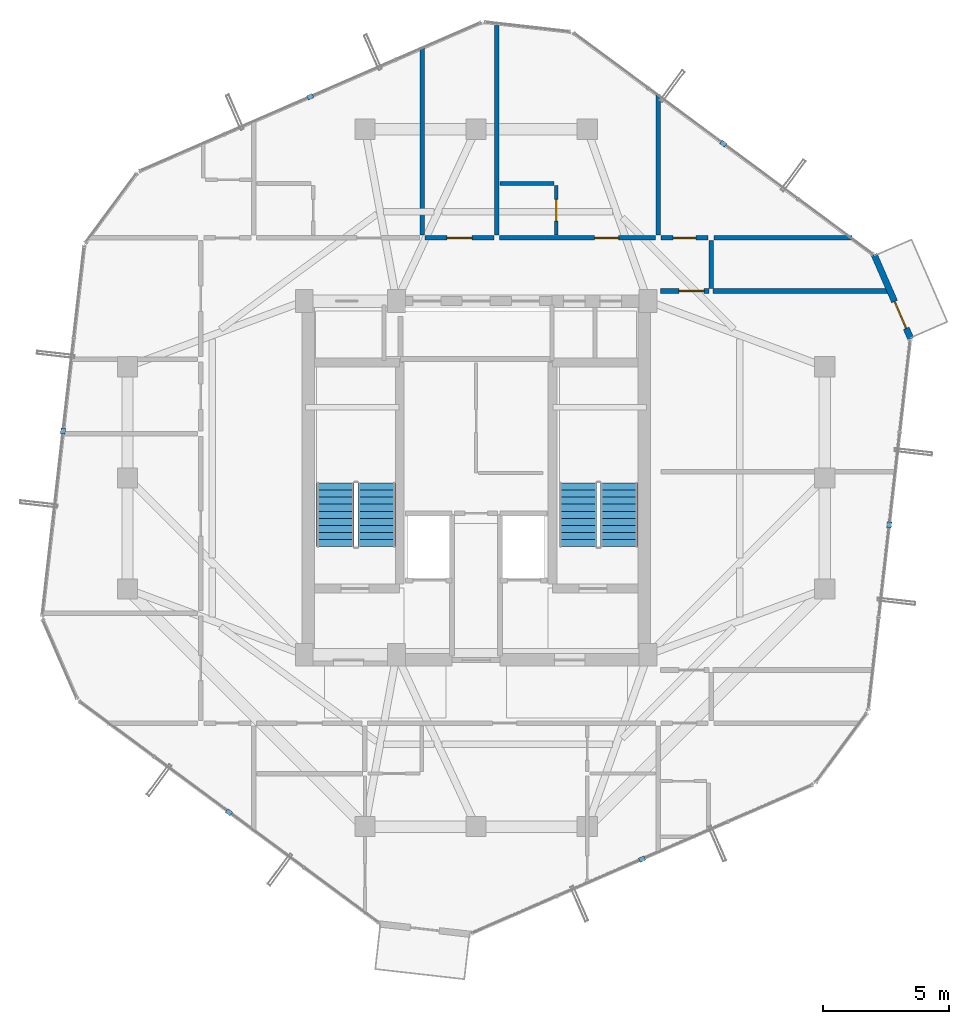
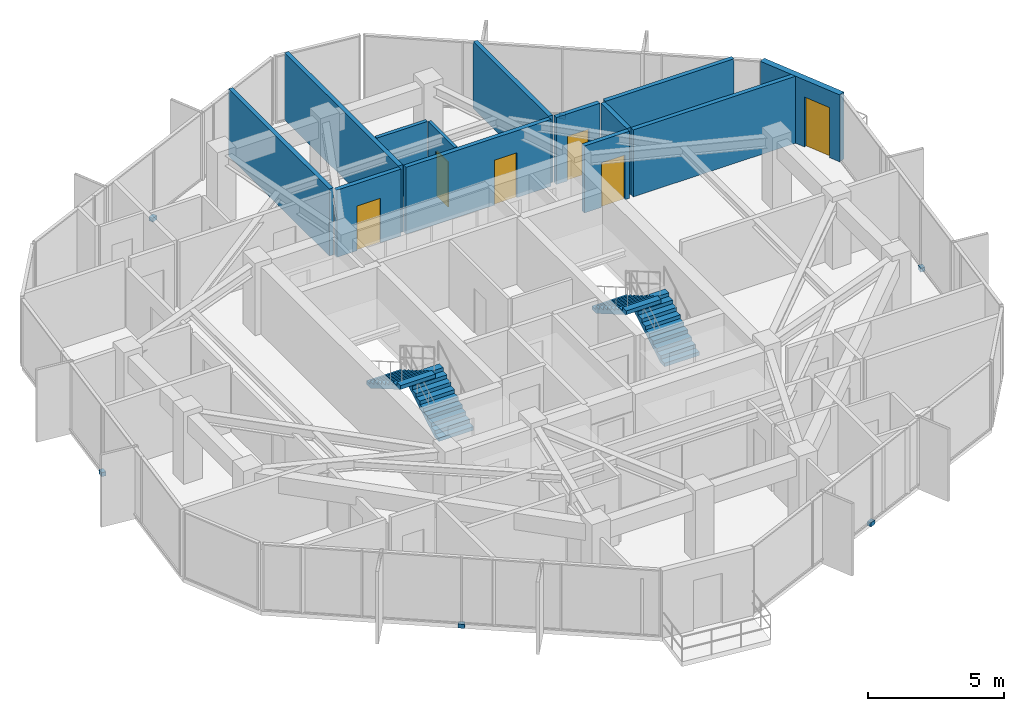
# One storey, part 28 of 30: 13 walls, 6 discrete accessories, 6 doors, 4 stair flights, 6 openings, 2 elements without a shape of their own.
"""IFC4 building model written with IfcOpenShell, lengths in metres."""

from ifc_helpers import new_model, si_unit, direction, frame, frame_2d, origin, origin_2d, place, context, subcontext, project, spatial, polyline, rectangle, outline, extrude, source, transform, mapped, material, layer, layer_set, type_object, element, fill, aggregate, save


model = new_model("IFC4")

# Units and contexts
model_context = context("Model", 3, precision=1e-05, world=origin(), true_north=direction((0.0, 1.0)))
body_context = subcontext(model_context, "Body", "Model", "MODEL_VIEW")
ifc_project = project(units=[si_unit("LENGTHUNIT", "METRE"), si_unit("AREAUNIT", "SQUARE_METRE"), si_unit("VOLUMEUNIT", "CUBIC_METRE"), si_unit("PLANEANGLEUNIT", "RADIAN"), si_unit("MASSUNIT", "GRAM", prefix="KILO")], contexts=[model_context])

# Site, building, storey
site_placement = place(None, origin())
site = spatial("IfcSite", under=ifc_project, at=site_placement, CompositionType="ELEMENT")
building_placement = place(site_placement, origin())
building = spatial("IfcBuilding", under=site, at=building_placement, Name="Veraguas Prism Commons", CompositionType="ELEMENT")
storey_placement = place(building_placement, frame((0.0, 0.0, 230.050048828125)))
storey = spatial("IfcBuildingStorey", under=building, at=storey_placement, Name="L65", CompositionType="ELEMENT", Elevation=230.050048828125)

# Wall
ifc_material_1 = material(Name="Autoclaved aerated masonry block 10 MPa", Category="masonry")
ifc_layer_1 = layer(ifc_material_1, 0.179931640625, Name="Corridor and Inter-Tenancy Partition 180", Category="masonry")
ifc_layer_set_1 = layer_set([ifc_layer_1], Name="Autoclaved aerated masonry block 10 MPa")
wall_type_1 = type_object("IfcWallType", Name="Corridor and Inter-Tenancy Partition 180", PredefinedType="PARTITIONING", material=ifc_layer_set_1)
wall_1_placement = place(storey_placement, frame((31.199951171875, 33.6201171875, 0.0), z_axis=(0.0, 0.0, 1.0), x_axis=(0.0, 1.0, 0.0)))
element("IfcWall", 1, at=wall_1_placement, inside=storey, type_object=wall_type_1, Name="WL-L65-PT014", PredefinedType="PARTITIONING", context=body_context, shape_type="SweptSolid", body=[
    extrude(rectangle(XDim=5.5576171875, YDim=0.179931640625, at=frame_2d((2.77880859375, 0.0))), origin(), (0.0, 0.0, 1.0), 3.014892578125),
])

# Wall, opening, door
wall_2_placement = place(storey_placement, frame((21.97998046875, 33.5, 0.0), z_axis=(0.0, 0.0, 1.0), x_axis=(1.0, 0.0, 0.0)))
wall_2 = element("IfcWall", 2, at=wall_2_placement, inside=storey, type_object=wall_type_1, Name="WL-L65-PT015", PredefinedType="PARTITIONING", context=body_context, shape_type="SweptSolid", body=[
    extrude(rectangle(XDim=2.72998046875, YDim=0.179931640625, at=frame_2d((1.364990234375, 0.0))), origin(), (0.0, 0.0, 1.0), 3.014892578125),
])
opening_1_placement = place(wall_2_placement, frame((0.864990234375, 0.0, 0.0)))
opening_1 = element("IfcOpeningElement", 3, at=opening_1_placement, cuts=wall_2, Name="Opening DR-13", PredefinedType="OPENING", context=body_context, shape_type="SweptSolid", body=[
    extrude(rectangle(XDim=1.0, YDim=2.010009765625, at=frame_2d((0.5, 1.0048828125))), frame((0.0, 0.099853515625, 0.0), z_axis=(0.0, -1.0, 0.0), x_axis=(1.0, 0.0, 0.0)), (0.0, 0.0, 1.0), 0.199951171875),
])
ifc_material_2 = material(Name="Steel fire-rated door assembly", Category="steel")
door_type_1 = type_object("IfcDoorType", Name="Core Accessible WC and Clinic Fire Door 1000x2010", OperationType="NOTDEFINED", PredefinedType="DOOR", material=ifc_material_2)
shared_shape_1 = source(origin(), body_context, "Body", "SweptSolid", [
    extrude(rectangle(XDim=1.0, YDim=2.010009765625, at=frame_2d((0.5, 1.0048828125))), frame((0.0, 0.02490234375, 0.0), z_axis=(0.0, -1.0, 0.0), x_axis=(1.0, 0.0, 0.0)), (0.0, 0.0, 1.0), 0.050048828125),
])
door_1_placement = place(opening_1_placement, origin())
door_1 = element("IfcDoor", 4, at=door_1_placement, inside=storey, type_object=door_type_1, Name="Quiet Study N Door", OperationType="SINGLE_SWING_LEFT", OverallHeight=2.010009765625, OverallWidth=1.0, PredefinedType="DOOR", context=body_context, shape_type="MappedRepresentation", body=[
    mapped(shared_shape_1, transform((0.0, 0.0, 0.0), scale=1.0)),
])
fill(opening_1, door_1)

# Walls
wall_3_placement = place(storey_placement, frame((21.8701171875, 33.6201171875, 0.0), z_axis=(0.0, 0.0, 1.0), x_axis=(0.0, 1.0, 0.0)))
element("IfcWall", 5, at=wall_3_placement, inside=storey, type_object=wall_type_1, Name="WL-L65-PT016", PredefinedType="PARTITIONING", context=body_context, shape_type="SweptSolid", body=[
    extrude(rectangle(XDim=7.430908203125, YDim=0.179931640625, at=frame_2d((3.71533203125, 0.0))), origin(), (0.0, 0.0, 1.0), 3.014892578125),
])
wall_4_placement = place(storey_placement, frame((24.820068359375, 33.6201171875, 0.0), z_axis=(0.0, 0.0, 1.0), x_axis=(0.0, 1.0, 0.0)))
element("IfcWall", 6, at=wall_4_placement, inside=storey, type_object=wall_type_1, Name="WL-L65-PT020", PredefinedType="PARTITIONING", context=body_context, shape_type="SweptSolid", body=[
    extrude(rectangle(XDim=8.404052734375, YDim=0.179931640625, at=frame_2d((4.2021484375, 0.0))), origin(), (0.0, 0.0, 1.0), 3.014892578125),
])

# Wall, opening, door
wall_5_placement = place(storey_placement, frame((24.929931640625, 33.5, 0.0), z_axis=(0.0, 0.0, 1.0), x_axis=(1.0, 0.0, 0.0)))
wall_5 = element("IfcWall", 7, at=wall_5_placement, inside=storey, type_object=wall_type_1, Name="WL-L65-PT021", PredefinedType="PARTITIONING", context=body_context, shape_type="SweptSolid", body=[
    extrude(rectangle(XDim=6.16015625, YDim=0.179931640625, at=frame_2d((3.080078125, 0.0))), origin(), (0.0, 0.0, 1.0), 3.014892578125),
])
opening_2_placement = place(wall_5_placement, frame((3.759521484375, 0.0, 0.0)))
opening_2 = element("IfcOpeningElement", 8, at=opening_2_placement, cuts=wall_5, Name="Opening DR-01", PredefinedType="OPENING", context=body_context, shape_type="SweptSolid", body=[
    extrude(rectangle(XDim=0.949951171875, YDim=2.02001953125, at=frame_2d((0.47509765625, 1.010009765625))), frame((0.0, 0.099853515625, 0.0), z_axis=(0.0, -1.0, 0.0), x_axis=(1.0, 0.0, 0.0)), (0.0, 0.0, 1.0), 0.199951171875),
])
ifc_material_3 = material(Name="Anodised aluminium EN AW-6063 T6", Category="aluminium")
door_type_2 = type_object("IfcDoorType", Name="Apartment Entrance Fire Door 950x2020", OperationType="NOTDEFINED", PredefinedType="DOOR", material=ifc_material_3)
shared_shape_2 = source(origin(), body_context, "Body", "SweptSolid", [
    extrude(rectangle(XDim=0.949951171875, YDim=2.02001953125, at=frame_2d((0.47509765625, 1.010009765625))), frame((0.0, 0.02490234375, 0.0), z_axis=(0.0, -1.0, 0.0), x_axis=(1.0, 0.0, 0.0)), (0.0, 0.0, 1.0), 0.050048828125),
])
door_2_placement = place(opening_2_placement, origin())
door_2 = element("IfcDoor", 9, at=door_2_placement, inside=storey, type_object=door_type_2, Name="Studio 65C Entrance Door", OperationType="SINGLE_SWING_RIGHT", OverallHeight=2.02001953125, OverallWidth=0.949951171875, PredefinedType="DOOR", context=body_context, shape_type="MappedRepresentation", body=[
    mapped(shared_shape_2, transform((0.0, 0.0, 0.0), scale=1.0)),
])
fill(opening_2, door_2)

# Wall
wall_6_placement = place(storey_placement, frame((33.300048828125, 31.5, 0.0), z_axis=(0.0, 0.0, 1.0), x_axis=(0.0, 1.0, 0.0)))
element("IfcWall", 10, at=wall_6_placement, inside=storey, type_object=wall_type_1, Name="WL-L65-PT035", PredefinedType="PARTITIONING", context=body_context, shape_type="SweptSolid", body=[
    extrude(rectangle(XDim=1.89990234375, YDim=0.179931640625, at=frame_2d((0.949951171875, 0.0))), origin(), (0.0, 0.0, 1.0), 3.014892578125),
])

# Wall, opening, door
wall_7_placement = place(storey_placement, frame((31.300048828125, 31.39990234375, 0.0), z_axis=(0.0, 0.0, 1.0), x_axis=(1.0, 0.0, 0.0)))
wall_7 = element("IfcWall", 11, at=wall_7_placement, inside=storey, type_object=wall_type_1, Name="WL-L65-PT038", PredefinedType="PARTITIONING", context=body_context, shape_type="SweptSolid", body=[
    extrude(rectangle(XDim=1.919921875, YDim=0.179931640625, at=frame_2d((0.9599609375, 0.0))), origin(), (0.0, 0.0, 1.0), 3.014892578125),
])
opening_3_placement = place(wall_7_placement, frame((0.719970703125, 0.0, 0.0)))
opening_3 = element("IfcOpeningElement", 12, at=opening_3_placement, cuts=wall_7, Name="Opening DR-13", PredefinedType="OPENING", context=body_context, shape_type="SweptSolid", body=[
    extrude(rectangle(XDim=1.0, YDim=2.010009765625, at=frame_2d((0.5, 1.0048828125))), frame((0.0, 0.099853515625, 0.0), z_axis=(0.0, -1.0, 0.0), x_axis=(1.0, 0.0, 0.0)), (0.0, 0.0, 1.0), 0.199951171875),
])
door_3_placement = place(opening_3_placement, origin())
door_3 = element("IfcDoor", 13, at=door_3_placement, inside=storey, type_object=door_type_1, Name="Study Salon Door L65", OperationType="SINGLE_SWING_LEFT", OverallHeight=2.010009765625, OverallWidth=1.0, PredefinedType="DOOR", context=body_context, shape_type="MappedRepresentation", body=[
    mapped(shared_shape_1, transform((0.0, 0.0, 0.0), scale=1.0)),
])
fill(opening_3, door_3)

# Walls
wall_8_placement = place(storey_placement, frame((33.3798828125, 31.39990234375, 0.0), z_axis=(0.0, 0.0, 1.0), x_axis=(1.0, 0.0, 0.0)))
element("IfcWall", 14, at=wall_8_placement, inside=storey, type_object=wall_type_1, Name="WL-L65-PT039", PredefinedType="PARTITIONING", context=body_context, shape_type="SweptSolid", body=[
    extrude(rectangle(XDim=7.0322265625, YDim=0.179931640625, at=frame_2d((3.51611328125, 0.0))), origin(), (0.0, 0.0, 1.0), 3.014892578125),
])
wall_9_placement = place(storey_placement, frame((33.419921875, 33.5, 0.0), z_axis=(0.0, 0.0, 1.0), x_axis=(1.0, 0.0, 0.0)))
element("IfcWall", 15, at=wall_9_placement, inside=storey, type_object=wall_type_1, Name="WL-L65-PT049", PredefinedType="PARTITIONING", context=body_context, shape_type="SweptSolid", body=[
    extrude(rectangle(XDim=5.45849609375, YDim=0.179931640625, at=frame_2d((2.729248046875, 0.0))), origin(), (0.0, 0.0, 1.0), 3.014892578125),
])

# Wall, opening, door
wall_10_placement = place(storey_placement, frame((31.320068359375, 33.5, 0.0), z_axis=(0.0, 0.0, 1.0), x_axis=(1.0, 0.0, 0.0)))
wall_10 = element("IfcWall", 16, at=wall_10_placement, inside=storey, type_object=wall_type_1, Name="WL-L65-PT050", PredefinedType="PARTITIONING", context=body_context, shape_type="SweptSolid", body=[
    extrude(rectangle(XDim=1.85986328125, YDim=0.179931640625, at=frame_2d((0.929931640625, 0.0))), origin(), (0.0, 0.0, 1.0), 3.014892578125),
])
opening_4_placement = place(wall_10_placement, frame((0.47998046875, 0.0, 0.0)))
opening_4 = element("IfcOpeningElement", 17, at=opening_4_placement, cuts=wall_10, Name="Opening DR-14", PredefinedType="OPENING", context=body_context, shape_type="SweptSolid", body=[
    extrude(rectangle(XDim=0.89990234375, YDim=2.010009765625, at=frame_2d((0.449951171875, 1.0048828125))), frame((0.0, 0.099853515625, 0.0), z_axis=(0.0, -1.0, 0.0), x_axis=(1.0, 0.0, 0.0)), (0.0, 0.0, 1.0), 0.199951171875),
])
door_type_3 = type_object("IfcDoorType", Name="Core Service Room Fire Door 900x2010", OperationType="NOTDEFINED", PredefinedType="DOOR", material=ifc_material_2)
shared_shape_3 = source(origin(), body_context, "Body", "SweptSolid", [
    extrude(rectangle(XDim=0.89990234375, YDim=2.010009765625, at=frame_2d((0.449951171875, 1.0048828125))), frame((0.0, 0.02490234375, 0.0), z_axis=(0.0, -1.0, 0.0), x_axis=(1.0, 0.0, 0.0)), (0.0, 0.0, 1.0), 0.050048828125),
])
door_4_placement = place(opening_4_placement, origin())
door_4 = element("IfcDoor", 18, at=door_4_placement, inside=storey, type_object=door_type_3, Name="Residents Corner Study Room NE Door", OperationType="SINGLE_SWING_LEFT", OverallHeight=2.010009765625, OverallWidth=0.89990234375, PredefinedType="DOOR", context=body_context, shape_type="MappedRepresentation", body=[
    mapped(shared_shape_3, transform((0.0, 0.0, 0.0), scale=1.0)),
])
fill(opening_4, door_4)

ifc_material_4 = material(Name="Precast concrete C40/50", Category="concrete")
ifc_layer_2 = layer(ifc_material_4, 0.25, Name="External Loggia and Portal Wall 250", Category="concrete")
ifc_layer_set_2 = layer_set([ifc_layer_2], Name="Precast concrete C40/50")
wall_type_2 = type_object("IfcWallType", Name="External Loggia and Portal Wall 250", PredefinedType="SOLIDWALL", material=ifc_layer_set_2)
wall_11_placement = place(storey_placement, frame((41.205322265625, 29.501953125, 0.0), z_axis=(0.0, 0.0, 1.0), x_axis=(-0.399074107553, 0.916918675064, 0.0)))
wall_11 = element("IfcWall", 19, at=wall_11_placement, inside=storey, type_object=wall_type_2, Name="Corner Loggia Wall L65-C1", PredefinedType="SOLIDWALL", context=body_context, shape_type="SweptSolid", body=[
    extrude(rectangle(XDim=3.642578125, YDim=0.25, at=frame_2d((1.8212890625, 0.0))), origin(), (0.0, 0.0, 1.0), 3.014892578125),
])
opening_5_placement = place(wall_11_placement, frame((0.4599609375, 0.0, 0.0)))
opening_5 = element("IfcOpeningElement", 20, at=opening_5_placement, cuts=wall_11, Name="Opening DR-10", PredefinedType="OPENING", context=body_context, shape_type="SweptSolid", body=[
    extrude(rectangle(XDim=1.14990234375, YDim=2.25, at=frame_2d((0.574951171875, 1.125))), frame((0.0, 0.135009765625, 0.0), z_axis=(0.0, -1.0, 0.0), x_axis=(1.0, 0.0, 0.0)), (0.0, 0.0, 1.0), 0.27001953125),
])
door_type_4 = type_object("IfcDoorType", Name="Glazed Loggia and Terrace Door 1150x2250", OperationType="NOTDEFINED", PredefinedType="DOOR", material=ifc_material_3)
shared_shape_4 = source(origin(), body_context, "Body", "SweptSolid", [
    extrude(rectangle(XDim=1.14990234375, YDim=2.25, at=frame_2d((0.574951171875, 1.125))), frame((0.0, 0.02490234375, 0.0), z_axis=(0.0, -1.0, 0.0), x_axis=(1.0, 0.0, 0.0)), (0.0, 0.0, 1.0), 0.050048828125),
])
door_5_placement = place(opening_5_placement, frame((1.14990234375, 0.0, 0.0), z_axis=(0.0, 0.0, 1.0), x_axis=(-1.0, 0.0, 0.0)))
door_5 = element("IfcDoor", 21, at=door_5_placement, inside=storey, type_object=door_type_4, Name="Recessed Loggia Door L65-C1", OperationType="SINGLE_SWING_RIGHT", OverallHeight=2.25, OverallWidth=1.14990234375, PredefinedType="DOOR", context=body_context, shape_type="MappedRepresentation", body=[
    mapped(shared_shape_4, transform((0.0, 0.0, 0.0), scale=1.0)),
])
fill(opening_5, door_5)

ifc_material_5 = material(Name="Lightweight acoustic gypsum board")
ifc_layer_3 = layer(ifc_material_5, 0.125, Name="Internal Apartment Room Partition 125")
ifc_layer_set_3 = layer_set([ifc_layer_3], Name="Lightweight acoustic gypsum board")
wall_type_3 = type_object("IfcWallType", Name="Internal Apartment Room Partition 125", PredefinedType="PARTITIONING", material=ifc_layer_set_3)
wall_12_placement = place(storey_placement, frame((27.169921875, 33.6201171875, 0.0), z_axis=(0.0, 0.0, 1.0), x_axis=(0.0, 1.0, 0.0)))
wall_12 = element("IfcWall", 22, at=wall_12_placement, inside=storey, type_object=wall_type_3, Name="WL-L65-PT022", PredefinedType="PARTITIONING", context=body_context, shape_type="SweptSolid", body=[
    extrude(rectangle(XDim=1.949951171875, YDim=0.125, at=frame_2d((0.97509765625, 0.0))), origin(), (0.0, 0.0, 1.0), 3.014892578125),
])
opening_6_placement = place(wall_12_placement, frame((0.544921875, 0.0, 0.0)))
opening_6 = element("IfcOpeningElement", 23, at=opening_6_placement, cuts=wall_12, Name="Opening DR-03", PredefinedType="OPENING", context=body_context, shape_type="SweptSolid", body=[
    extrude(rectangle(XDim=0.860107421875, YDim=2.010009765625, at=frame_2d((0.43017578125, 1.0048828125))), frame((0.0, 0.072509765625, 0.0), z_axis=(0.0, -1.0, 0.0), x_axis=(1.0, 0.0, 0.0)), (0.0, 0.0, 1.0), 0.14501953125),
])
ifc_material_6 = material(Name="Timber moisture-resistant leaf", Category="wood")
door_type_5 = type_object("IfcDoorType", Name="Internal Bathroom Door 860x2010", OperationType="NOTDEFINED", PredefinedType="DOOR", material=ifc_material_6)
shared_shape_5 = source(origin(), body_context, "Body", "SweptSolid", [
    extrude(rectangle(XDim=0.860107421875, YDim=2.010009765625, at=frame_2d((0.43017578125, 1.0048828125))), frame((0.0, 0.02490234375, 0.0), z_axis=(0.0, -1.0, 0.0), x_axis=(1.0, 0.0, 0.0)), (0.0, 0.0, 1.0), 0.050048828125),
])
door_6_placement = place(opening_6_placement, origin())
door_6 = element("IfcDoor", 24, at=door_6_placement, inside=storey, type_object=door_type_5, Name="Studio 65C Bathroom Door", OperationType="SINGLE_SWING_LEFT", OverallHeight=2.010009765625, OverallWidth=0.860107421875, PredefinedType="DOOR", context=body_context, shape_type="MappedRepresentation", body=[
    mapped(shared_shape_5, transform((0.0, 0.0, 0.0), scale=1.0)),
])
fill(opening_6, door_6)

# Wall
ifc_layer_4 = layer(ifc_material_5, 0.14990234375, Name="Wet Room and Clinic Acoustic Partition 150")
ifc_layer_set_4 = layer_set([ifc_layer_4], Name="Lightweight acoustic gypsum board")
wall_type_4 = type_object("IfcWallType", Name="Wet Room and Clinic Acoustic Partition 150", PredefinedType="PARTITIONING", material=ifc_layer_set_4)
wall_13_placement = place(storey_placement, frame((24.93994140625, 35.64990234375, 0.0), z_axis=(0.0, 0.0, 1.0), x_axis=(1.0, 0.0, 0.0)))
element("IfcWall", 25, at=wall_13_placement, inside=storey, type_object=wall_type_4, Name="WL-L65-PT023", PredefinedType="PARTITIONING", context=body_context, shape_type="SweptSolid", body=[
    extrude(rectangle(XDim=2.150146484375, YDim=0.14990234375, at=frame_2d((1.0751953125, 0.0))), origin(), (0.0, 0.0, 1.0), 3.014892578125),
])

# Stair, stair flights
ifc_material_7 = material(Name="Precast concrete C45/55", Category="concrete")
stair_type = type_object("IfcStairType", Name="Dogleg Core Stair 1480W 20R 05", PredefinedType="HALF_TURN_STAIR", material=ifc_material_7)
stair_1_placement = place(storey_placement, origin())
stair_1 = element("IfcStair", 26, at=stair_1_placement, inside=storey, type_object=stair_type, Name="Protected Exit Stair ST-01 L65", PredefinedType="HALF_TURN_STAIR")
stair_flight_type = type_object("IfcStairFlightType", Name="Precast Stair Flight 1480W 10R 05", PredefinedType="STRAIGHT", material=ifc_material_7)
stair_flight_1_placement = place(storey_placement, frame((20.06005859375, 21.280029296875, 0.0), z_axis=(0.0, 0.0, 1.0), x_axis=(0.0, 1.0, 0.0)))
stair_flight_1 = element("IfcStairFlight", 27, at=stair_flight_1_placement, type_object=stair_flight_type, Name="ST-05 Flight 1", NumberOfRisers=10, NumberOfTreads=9, PredefinedType="STRAIGHT", RiserHeight=0.1625, TreadLength=0.28, context=body_context, shape_type="SweptSolid", body=[
    extrude(outline(polyline([(0.0, 0.0), (0.0, 0.16259765625), (0.280029296875, 0.16259765625), (0.280029296875, 0.324951171875), (0.56005859375, 0.324951171875), (0.56005859375, 0.487548828125), (0.840087890625, 0.487548828125), (0.840087890625, 0.64990234375), (1.1201171875, 0.64990234375), (1.1201171875, 0.8125), (1.39990234375, 0.8125), (1.39990234375, 0.97509765625), (1.679931640625, 0.97509765625), (1.679931640625, 1.137451171875), (1.9599609375, 1.137451171875), (1.9599609375, 1.300048828125), (2.239990234375, 1.300048828125), (2.239990234375, 1.46240234375), (2.52001953125, 1.46240234375), (2.52001953125, 1.625), (2.52001953125, 1.2890625), (0.298583984375, 0.0), (0.0, 0.0)])), frame((0.0, 0.739990234375, 0.0), z_axis=(0.0, -1.0, 0.0), x_axis=(1.0, 0.0, 0.0)), (0.0, 0.0, 1.0), 1.47998046875),
])
stair_flight_2_placement = place(storey_placement, frame((18.429931640625, 23.800048828125, 1.625), z_axis=(0.0, 0.0, 1.0), x_axis=(0.0, -1.0, 0.0)))
stair_flight_2 = element("IfcStairFlight", 28, at=stair_flight_2_placement, type_object=stair_flight_type, Name="ST-05 Flight 2", NumberOfRisers=10, NumberOfTreads=9, PredefinedType="STRAIGHT", RiserHeight=0.1625, TreadLength=0.28, context=body_context, shape_type="SweptSolid", body=[
    extrude(outline(polyline([(0.0, 0.0), (0.0, 0.16259765625), (0.280029296875, 0.16259765625), (0.280029296875, 0.324951171875), (0.56005859375, 0.324951171875), (0.56005859375, 0.487548828125), (0.840087890625, 0.487548828125), (0.840087890625, 0.64990234375), (1.1201171875, 0.64990234375), (1.1201171875, 0.8125), (1.39990234375, 0.8125), (1.39990234375, 0.97509765625), (1.679931640625, 0.97509765625), (1.679931640625, 1.137451171875), (1.9599609375, 1.137451171875), (1.9599609375, 1.300048828125), (2.239990234375, 1.300048828125), (2.239990234375, 1.46240234375), (2.52001953125, 1.46240234375), (2.52001953125, 1.625), (2.52001953125, 1.2890625), (0.298583984375, 0.0), (0.0, 0.0)])), frame((0.0, 0.739990234375, 0.0), z_axis=(0.0, -1.0, 0.0), x_axis=(1.0, 0.0, 0.0)), (0.0, 0.0, 1.0), 1.47998046875),
])
aggregate(stair_1, [stair_flight_1, stair_flight_2])

stair_2_placement = place(storey_placement, origin())
stair_2 = element("IfcStair", 29, at=stair_2_placement, inside=storey, type_object=stair_type, Name="Protected Exit Stair ST-02 L65", PredefinedType="HALF_TURN_STAIR")
stair_flight_3_placement = place(storey_placement, frame((29.659912109375, 21.280029296875, 0.0), z_axis=(0.0, 0.0, 1.0), x_axis=(0.0, 1.0, 0.0)))
stair_flight_3 = element("IfcStairFlight", 30, at=stair_flight_3_placement, type_object=stair_flight_type, Name="ST-05 Flight 1", NumberOfRisers=10, NumberOfTreads=9, PredefinedType="STRAIGHT", RiserHeight=0.1625, TreadLength=0.28, context=body_context, shape_type="SweptSolid", body=[
    extrude(outline(polyline([(0.0, 0.0), (0.0, 0.16259765625), (0.280029296875, 0.16259765625), (0.280029296875, 0.324951171875), (0.56005859375, 0.324951171875), (0.56005859375, 0.487548828125), (0.840087890625, 0.487548828125), (0.840087890625, 0.64990234375), (1.1201171875, 0.64990234375), (1.1201171875, 0.8125), (1.39990234375, 0.8125), (1.39990234375, 0.97509765625), (1.679931640625, 0.97509765625), (1.679931640625, 1.137451171875), (1.9599609375, 1.137451171875), (1.9599609375, 1.300048828125), (2.239990234375, 1.300048828125), (2.239990234375, 1.46240234375), (2.52001953125, 1.46240234375), (2.52001953125, 1.625), (2.52001953125, 1.2890625), (0.298583984375, 0.0), (0.0, 0.0)])), frame((0.0, 0.739990234375, 0.0), z_axis=(0.0, -1.0, 0.0), x_axis=(1.0, 0.0, 0.0)), (0.0, 0.0, 1.0), 1.47998046875),
])
stair_flight_4_placement = place(storey_placement, frame((28.030029296875, 23.800048828125, 1.625), z_axis=(0.0, 0.0, 1.0), x_axis=(0.0, -1.0, 0.0)))
stair_flight_4 = element("IfcStairFlight", 31, at=stair_flight_4_placement, type_object=stair_flight_type, Name="ST-05 Flight 2", NumberOfRisers=10, NumberOfTreads=9, PredefinedType="STRAIGHT", RiserHeight=0.1625, TreadLength=0.28, context=body_context, shape_type="SweptSolid", body=[
    extrude(outline(polyline([(0.0, 0.0), (0.0, 0.16259765625), (0.280029296875, 0.16259765625), (0.280029296875, 0.324951171875), (0.56005859375, 0.324951171875), (0.56005859375, 0.487548828125), (0.840087890625, 0.487548828125), (0.840087890625, 0.64990234375), (1.1201171875, 0.64990234375), (1.1201171875, 0.8125), (1.39990234375, 0.8125), (1.39990234375, 0.97509765625), (1.679931640625, 0.97509765625), (1.679931640625, 1.137451171875), (1.9599609375, 1.137451171875), (1.9599609375, 1.300048828125), (2.239990234375, 1.300048828125), (2.239990234375, 1.46240234375), (2.52001953125, 1.46240234375), (2.52001953125, 1.625), (2.52001953125, 1.2890625), (0.298583984375, 0.0), (0.0, 0.0)])), frame((0.0, 0.739990234375, 0.0), z_axis=(0.0, -1.0, 0.0), x_axis=(1.0, 0.0, 0.0)), (0.0, 0.0, 1.0), 1.47998046875),
])
aggregate(stair_2, [stair_flight_3, stair_flight_4])

# Discrete accessories
ifc_material_8 = material(Name="Stainless steel AISI 316", Category="steel")
discrete_accessory_type = type_object("IfcDiscreteAccessoryType", Name="Facade Fin Support Bracket", PredefinedType="BRACKET", material=ifc_material_8)
shared_shape_6 = source(origin(), body_context, "Body", "SweptSolid", [
    extrude(rectangle(XDim=0.239990234375, YDim=0.179931640625, at=origin_2d()), origin(), (0.0, 0.0, 1.0), 0.179931640625),
])
for number, where, z_axis, x_axis, name in (
    (32, (33.782958984375, 37.23046875, -0.169921875), (0.0, 0.0, 1.0), (-0.804063406288, 0.594543554896, 0.0), "Solar Fin Support Bracket L65-F1"),
    (33, (17.43359375, 39.08740234375, -0.169921875), (0.0, 0.0, 1.0), (-0.916920132326, -0.399070759308, 0.0), "Solar Fin Support Bracket L65-F2"),
    (34, (7.650634765625, 25.85693359375, -0.169921875), (0.0, 0.0, 1.0), (-0.112861587409, -0.993610719592, 0.0), "Solar Fin Support Bracket L65-F3"),
    (35, (14.217041015625, 10.76953125, -0.169921875), (0.0, 0.0, 1.0), (0.804063406288, -0.594543554896, 0.0), "Solar Fin Support Bracket L65-F4"),
    (36, (30.56640625, 8.91259765625, -0.169921875), (0.0, 0.0, 1.0), (0.916920132326, 0.399070759308, 0.0), "Solar Fin Support Bracket L65-F5"),
    (37, (40.349365234375, 22.14306640625, -0.169921875), (0.0, 0.0, 1.0), (0.112861587409, 0.993610719592, 0.0), "Solar Fin Support Bracket L65-F6"),
):
    element("IfcDiscreteAccessory", number, at=place(storey_placement, frame(where, z_axis=z_axis, x_axis=x_axis)), inside=storey, type_object=discrete_accessory_type, Name=name, PredefinedType="BRACKET", context=body_context, shape_type="MappedRepresentation", body=[
        mapped(shared_shape_6, transform((0.0, 0.0, 0.0), scale=1.0)),
    ])

save(model, "model.ifc")
